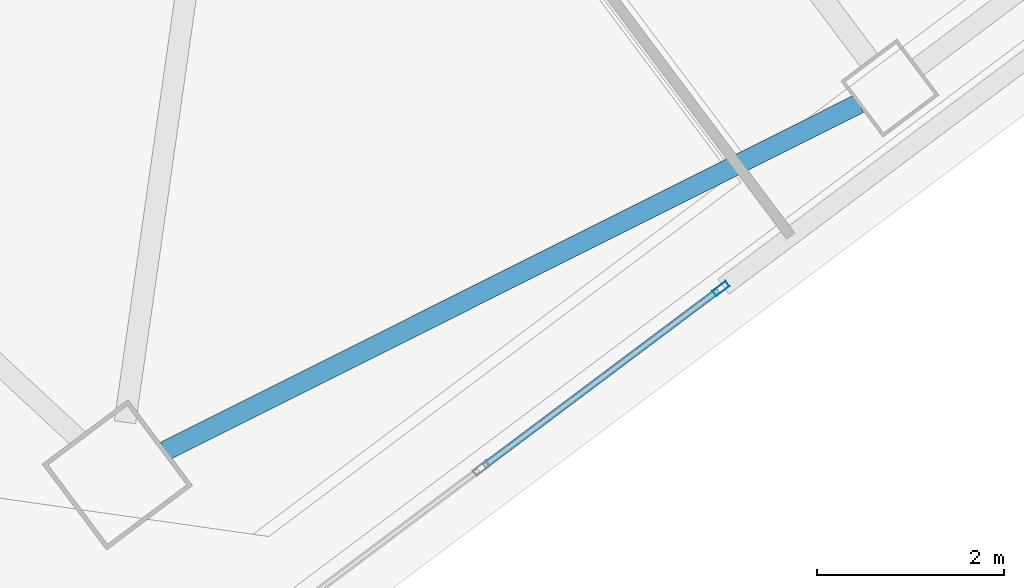
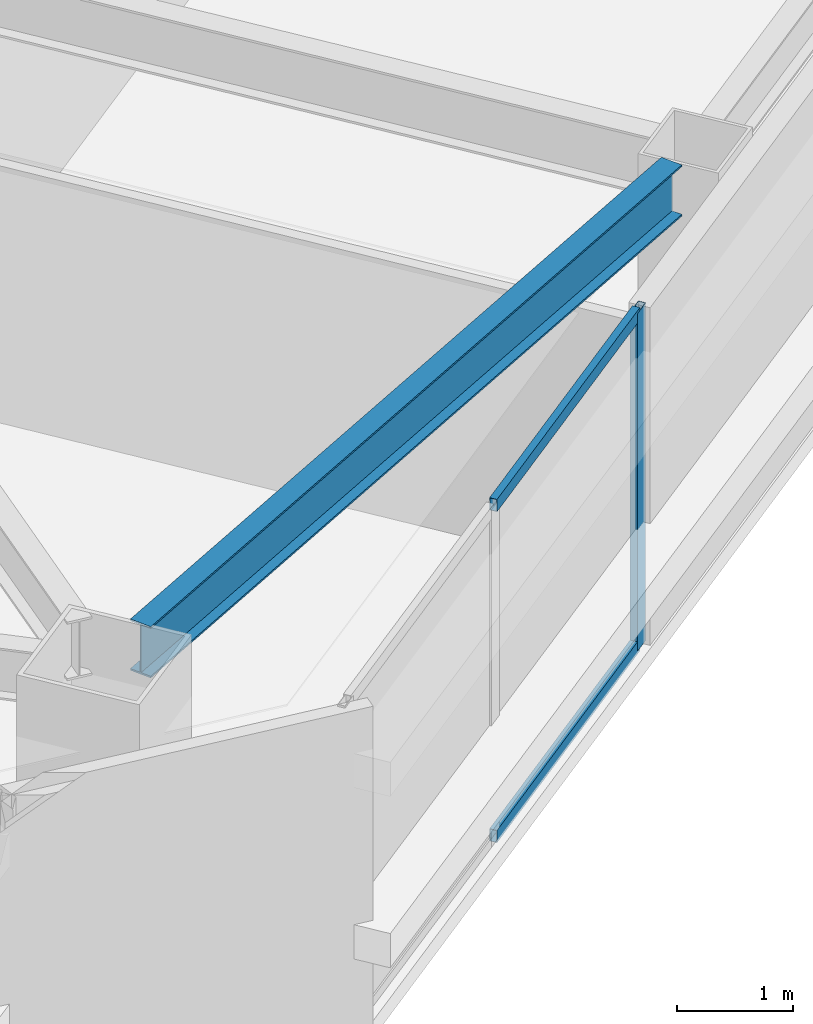
# One storey, part 20 of 44: 3 members, 1 beam, 1 element without a shape of its own.
"""IFC4 building model written with IfcOpenShell, lengths in metres."""

import ifcopenshell
import ifcopenshell.guid

model = None  # the IFC model being written
_history = None  # IfcOwnerHistory: only IFC2X3 demands one
_inside = {}  # id of a spatial element -> (the spatial element, [elements in it])
_under = {}  # id of a project, library or spatial element -> (it, [spatial elements below it])
_declared = {}  # id of a project -> (the project, [libraries it declares])
_typed = {}  # id of a type object -> (the type object, [elements of that type])
_made_of = {}  # id of a material, layer set ... -> (it, [elements and type objects made of it])


def new_model(schema):
    """Start an empty IFC model of exactly this schema.

    Asked for "IFC4X3", IfcOpenShell would pick the latest addendum, in which some entities
    have other attributes; the version numbers below select the first issue.
    IFC2X3 requires an IfcOwnerHistory on every rooted entity: one is made here for all.
    """
    global model, _history
    if schema == "IFC4X3":
        model = ifcopenshell.file(schema_version=(4, 3, 0, 0))
    else:
        model = ifcopenshell.file(schema=schema)
    _inside.clear()
    _under.clear()
    _declared.clear()
    _typed.clear()
    _made_of.clear()
    _history = None
    if model.schema == "IFC2X3":
        org = make("IfcOrganization", Name="unknown")
        user = make(
            "IfcPersonAndOrganization",
            ThePerson=make("IfcPerson", FamilyName="unknown"),
            TheOrganization=org,
        )
        app = make(
            "IfcApplication",
            ApplicationDeveloper=org,
            Version="unknown",
            ApplicationFullName="unknown",
            ApplicationIdentifier="unknown",
        )
        _history = make(
            "IfcOwnerHistory",
            OwningUser=user,
            OwningApplication=app,
            ChangeAction="ADDED",
            CreationDate=0,
        )
    return model


def make(cls, **values):
    """One entity of the class cls with the attributes given. An attribute that is None is left unset."""
    return model.create_entity(
        cls, **{name: value for name, value in values.items() if value is not None}
    )


def rooted(cls, **values):
    """An entity with a GlobalId (a new one), such as an element, a storey or a relation."""
    return make(cls, GlobalId=ifcopenshell.guid.new(), OwnerHistory=_history, **values)


def si_unit(unit_type, name, prefix=None):
    """IfcSIUnit, for example si_unit("LENGTHUNIT", "METRE", prefix="MILLI")."""
    return make("IfcSIUnit", UnitType=unit_type, Prefix=prefix, Name=name)


def assignment(units):
    """IfcUnitAssignment: the units of a project."""
    return None if units is None else make("IfcUnitAssignment", Units=units)


def point(xyz):
    """IfcCartesianPoint."""
    return None if xyz is None else make("IfcCartesianPoint", Coordinates=xyz)


def direction(xyz):
    """IfcDirection."""
    return None if xyz is None else make("IfcDirection", DirectionRatios=xyz)


def frame(location, z_axis=None, x_axis=None):
    """IfcAxis2Placement3D, a coordinate frame: its origin and axes. An axis left out is left unset."""
    return make(
        "IfcAxis2Placement3D",
        Location=point(location),
        Axis=direction(z_axis),
        RefDirection=direction(x_axis),
    )


def frame_2d(location, x_axis=None):
    """IfcAxis2Placement2D, a coordinate frame in the plane: its origin and x axis."""
    return make(
        "IfcAxis2Placement2D", Location=point(location), RefDirection=direction(x_axis)
    )


def origin():
    """The frame at (0, 0, 0) with its axes left unset."""
    return frame((0.0, 0.0, 0.0))


def origin_2d():
    """The frame at (0, 0) in the plane with its x axis left unset."""
    return frame_2d((0.0, 0.0))


def place(relative_to, where):
    """IfcLocalPlacement: puts the frame where relative to a parent placement (None: the world)."""
    return make(
        "IfcLocalPlacement", PlacementRelTo=relative_to, RelativePlacement=where
    )


def context(
    kind, dimensions, precision=None, world=None, true_north=None, identifier=None
):
    """IfcGeometricRepresentationContext, for example the 3D "Model" context."""
    return make(
        "IfcGeometricRepresentationContext",
        ContextIdentifier=identifier,
        ContextType=kind,
        CoordinateSpaceDimension=dimensions,
        Precision=precision,
        WorldCoordinateSystem=world,
        TrueNorth=true_north,
    )


def subcontext(parent, identifier, kind, view, scale=None):
    """IfcGeometricRepresentationSubContext, for example "Body" below "Model"."""
    return make(
        "IfcGeometricRepresentationSubContext",
        ContextIdentifier=identifier,
        ContextType=kind,
        ParentContext=parent,
        TargetScale=scale,
        TargetView=view,
    )


def project(units=None, contexts=None):
    """IfcProject with its units and contexts."""
    return rooted(
        "IfcProject",
        Name="project",
        RepresentationContexts=contexts,
        UnitsInContext=assignment(units),
    )


def spatial(cls, under=None, at=None, **own):
    """A site, building, storey or space (cls), placed at a placement, below another one or the project."""
    s = rooted(cls, ObjectPlacement=at, **own)
    if under is not None:
        _under.setdefault(under.id(), (under, []))[1].append(s)
    return s


def profile(cls, at=None, kind="AREA", **sizes):
    """A parametric profile (cls). Its sizes go by their IFC names, for example OverallWidth=200.0."""
    return make(cls, ProfileType=kind, Position=at, **sizes)


def hollow_rectangle(**sizes):
    """IfcRectangleHollowProfileDef."""
    return profile("IfcRectangleHollowProfileDef", **sizes)


def i_section(**sizes):
    """IfcIShapeProfileDef."""
    return profile("IfcIShapeProfileDef", **sizes)


def extrude(swept, where, along, depth):
    """IfcExtrudedAreaSolid: the profile swept, set in the frame where, extruded along a direction by depth."""
    return make(
        "IfcExtrudedAreaSolid",
        SweptArea=swept,
        Position=where,
        ExtrudedDirection=direction(along),
        Depth=depth,
    )


def shape(context_of_items, identifier, shape_type, items):
    """IfcShapeRepresentation: the items that make up one representation, for example the "Body"."""
    return make(
        "IfcShapeRepresentation",
        ContextOfItems=context_of_items,
        RepresentationIdentifier=identifier,
        RepresentationType=shape_type,
        Items=items,
    )


def material(Name=None, Category=None):
    """IfcMaterial."""
    return make("IfcMaterial", Name=Name, Category=Category)


def material_profile(
    of_material, cross_section, Name=None, Category=None, Priority=None
):
    """IfcMaterialProfile: a cross section and its material."""
    return make(
        "IfcMaterialProfile",
        Name=Name,
        Material=of_material,
        Profile=cross_section,
        Priority=Priority,
        Category=Category,
    )


def profile_set(profiles, Name=None, composite=None):
    """IfcMaterialProfileSet."""
    return make(
        "IfcMaterialProfileSet",
        Name=Name,
        MaterialProfiles=profiles,
        CompositeProfile=composite,
    )


def made_of(thing, what):
    """Note that an element or type object is made of a material, layer set ...; save() writes the relation."""
    if what is not None:
        _made_of.setdefault(what.id(), (what, []))[1].append(thing)
    return thing


def type_object(cls, material=None, **own):
    """A type object (cls), such as IfcWallType, which elements share."""
    return made_of(rooted(cls, **own), material)


def element(
    cls,
    number,
    at=None,
    inside=None,
    cuts=None,
    type_object=None,
    material=None,
    context=None,
    identifier="Body",
    shape_type=None,
    held_by="IfcProductDefinitionShape",
    body=None,
    shapes=None,
    **own,
):
    """One element of the class cls, such as IfcWall. Its Tag is "e" and its number.

    at: its placement. inside: the storey or other place that contains it. cuts: it is an
    opening in that element (IfcRelVoidsElement). A single representation is given by context,
    identifier, shape_type and body (its items); several are given by shapes. held_by: the class
    of the entity that holds the representations. save() writes the other relations.
    """
    e = rooted(cls, Tag="e%d" % number, ObjectPlacement=at, **own)
    if body is not None:
        shapes = [shape(context, identifier, shape_type, body)]
    if shapes is not None:
        e.Representation = make(held_by, Representations=shapes)
    if inside is not None:
        _inside.setdefault(inside.id(), (inside, []))[1].append(e)
    if cuts is not None:
        rooted(
            "IfcRelVoidsElement", RelatingBuildingElement=cuts, RelatedOpeningElement=e
        )
    if type_object is not None:
        _typed.setdefault(type_object.id(), (type_object, []))[1].append(e)
    return made_of(e, material)


def aggregate(whole, parts):
    """IfcRelAggregates: a whole, such as a stair, and the parts it consists of."""
    return rooted("IfcRelAggregates", RelatingObject=whole, RelatedObjects=parts)


def save(model, path):
    """Write the relations noted so far, then the file.

    IfcRelAggregates (storeys below a building ...), IfcRelContainedInSpatialStructure (elements
    in a storey), IfcRelDefinesByType, IfcRelAssociatesMaterial and IfcRelDeclares: one each for
    every whole, place, type object, material and project.
    """
    for whole, parts in _under.values():
        aggregate(whole, parts)
    for where, things in _inside.values():
        rooted(
            "IfcRelContainedInSpatialStructure",
            RelatedElements=things,
            RelatingStructure=where,
        )
    for kind, things in _typed.values():
        rooted("IfcRelDefinesByType", RelatedObjects=things, RelatingType=kind)
    for what, things in _made_of.values():
        rooted("IfcRelAssociatesMaterial", RelatedObjects=things, RelatingMaterial=what)
    for by, libraries in _declared.values():
        rooted("IfcRelDeclares", RelatingContext=by, RelatedDefinitions=libraries)
    model.write(path)


model = new_model("IFC4")

# Units and contexts
model_context = context("Model", 3, precision=1e-05, world=origin(), true_north=direction((0.0, 1.0)))
body_context = subcontext(model_context, "Body", "Model", "MODEL_VIEW")
ifc_project = project(units=[si_unit("LENGTHUNIT", "METRE"), si_unit("AREAUNIT", "SQUARE_METRE"), si_unit("VOLUMEUNIT", "CUBIC_METRE"), si_unit("PLANEANGLEUNIT", "RADIAN"), si_unit("MASSUNIT", "GRAM", prefix="KILO")], contexts=[model_context])

# Site, building, storey
site_placement = place(None, origin())
site = spatial("IfcSite", under=ifc_project, at=site_placement, CompositionType="ELEMENT")
building_placement = place(site_placement, origin())
building = spatial("IfcBuilding", under=site, at=building_placement, Name="Tashvorn Skyway Center", CompositionType="ELEMENT")
storey_placement = place(building_placement, frame((0.0, 0.0, 181.85009765625)))
storey = spatial("IfcBuildingStorey", under=building, at=storey_placement, Name="L49", CompositionType="ELEMENT", Elevation=181.85009765625)

# Beam
ifc_material_1 = material(Name="Steel ASTM A992 Grade 50", Category="steel")
ifc_material_profile_1 = material_profile(ifc_material_1, i_section(OverallWidth=0.2109375, OverallDepth=0.5390625, WebThickness=0.01171875, FlangeThickness=0.018798828125, at=origin_2d()), Name="W21X73")
ifc_profile_set_1 = profile_set([ifc_material_profile_1], Name="Steel ASTM A992 Grade 50")
beam_type = type_object("IfcBeamType", Name="BM-SPANDREL-W21X73", PredefinedType="SPANDREL", material=ifc_profile_set_1)
beam_placement = place(storey_placement, frame((111.609619140625, 11.955078125, 3.100341796875), z_axis=(0.894209637559, 0.447648438059, 0.0), x_axis=(-0.447648438059, 0.894209637559, 0.0)))
element("IfcBeam", 1, at=beam_placement, inside=storey, type_object=beam_type, Name="Tower 2 L49 Spandrel Beam 01", PredefinedType="SPANDREL", context=body_context, shape_type="SweptSolid", body=[
    extrude(i_section(OverallWidth=0.2109375, OverallDepth=0.5390625, WebThickness=0.01171875, FlangeThickness=0.018798828125, at=origin_2d()), origin(), (0.0, 0.0, 1.0), 8.308349609375),
])

# Curtain wall, members
ifc_material_2 = material(Name="Thermally broken bronze-anodized aluminium 6063-T6", Category="aluminium")
curtain_wall_type = type_object("IfcCurtainWallType", Name="CW-CW-Z4", PredefinedType="NOTDEFINED", material=ifc_material_2)
curtain_wall_placement = place(storey_placement, origin())
curtain_wall = element("IfcCurtainWall", 2, at=curtain_wall_placement, inside=storey, type_object=curtain_wall_type, Name="Tower 2 L49 South Unitised Curtain Wall Glazing Group 3", PredefinedType="NOTDEFINED")
ifc_material_profile_2 = material_profile(ifc_material_2, hollow_rectangle(XDim=0.070068359375, YDim=0.179931640625, WallThickness=0.00390625, at=origin_2d()), Name="ALU-MULL-70x180")
ifc_profile_set_2 = profile_set([ifc_material_profile_2], Name="Thermally broken bronze-anodized aluminium 6063-T6")
member_type_1 = type_object("IfcMemberType", Name="CWM-CW-Z4", PredefinedType="MULLION", material=ifc_profile_set_2)
member_1_placement = place(storey_placement, frame((117.56005859375, 13.695068359375, 0.0), z_axis=(0.0, 0.0, 1.0), x_axis=(0.600000000002, -0.799999999998, 0.0)))
member_1 = element("IfcMember", 3, at=member_1_placement, type_object=member_type_1, Name="CW-Z4 mullion 1", PredefinedType="MULLION", context=body_context, shape_type="SweptSolid", body=[
    extrude(hollow_rectangle(XDim=0.070068359375, YDim=0.179931640625, WallThickness=0.00390625, at=origin_2d()), origin(), (0.0, 0.0, 1.0), 3.5498046875),
])
ifc_material_profile_3 = material_profile(ifc_material_2, hollow_rectangle(XDim=0.070068359375, YDim=0.1298828125, WallThickness=0.00390625, at=origin_2d()), Name="ALU-TRAN-70x130")
ifc_profile_set_3 = profile_set([ifc_material_profile_3], Name="Thermally broken bronze-anodized aluminium 6063-T6")
member_type_2 = type_object("IfcMemberType", Name="CWT-CW-Z4", PredefinedType="USERDEFINED", material=ifc_profile_set_3)
member_2_placement = place(storey_placement, frame((117.531982421875, 13.674072265625, 0.034912109375), z_axis=(-0.799990655127, -0.600012459628, 0.0), x_axis=(0.600012459628, -0.799990655127, 0.0)))
member_2 = element("IfcMember", 4, at=member_2_placement, type_object=member_type_2, Name="CW-Z4 transom 1.1", ObjectType="TRANSOM", PredefinedType="USERDEFINED", context=body_context, shape_type="SweptSolid", body=[
    extrude(hollow_rectangle(XDim=0.070068359375, YDim=0.1298828125, WallThickness=0.00390625, at=origin_2d()), origin(), (0.0, 0.0, 1.0), 3.135009765625),
])
member_3_placement = place(storey_placement, frame((117.531982421875, 13.674072265625, 3.514892578125), z_axis=(-0.799990655127, -0.600012459628, 0.0), x_axis=(0.600012459628, -0.799990655127, 0.0)))
member_3 = element("IfcMember", 5, at=member_3_placement, type_object=member_type_2, Name="CW-Z4 transom 1.2", ObjectType="TRANSOM", PredefinedType="USERDEFINED", context=body_context, shape_type="SweptSolid", body=[
    extrude(hollow_rectangle(XDim=0.070068359375, YDim=0.1298828125, WallThickness=0.00390625, at=origin_2d()), origin(), (0.0, 0.0, 1.0), 3.135009765625),
])
aggregate(curtain_wall, [member_1, member_2, member_3])

save(model, "model.ifc")
